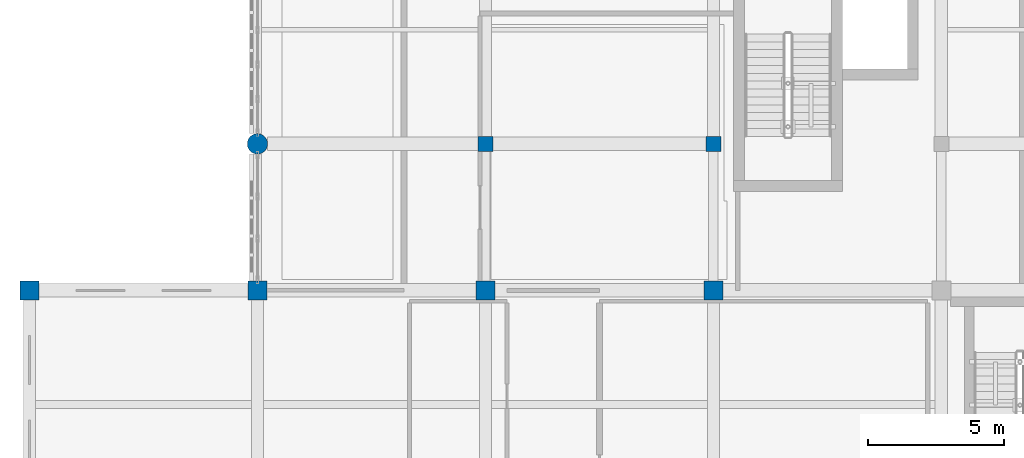
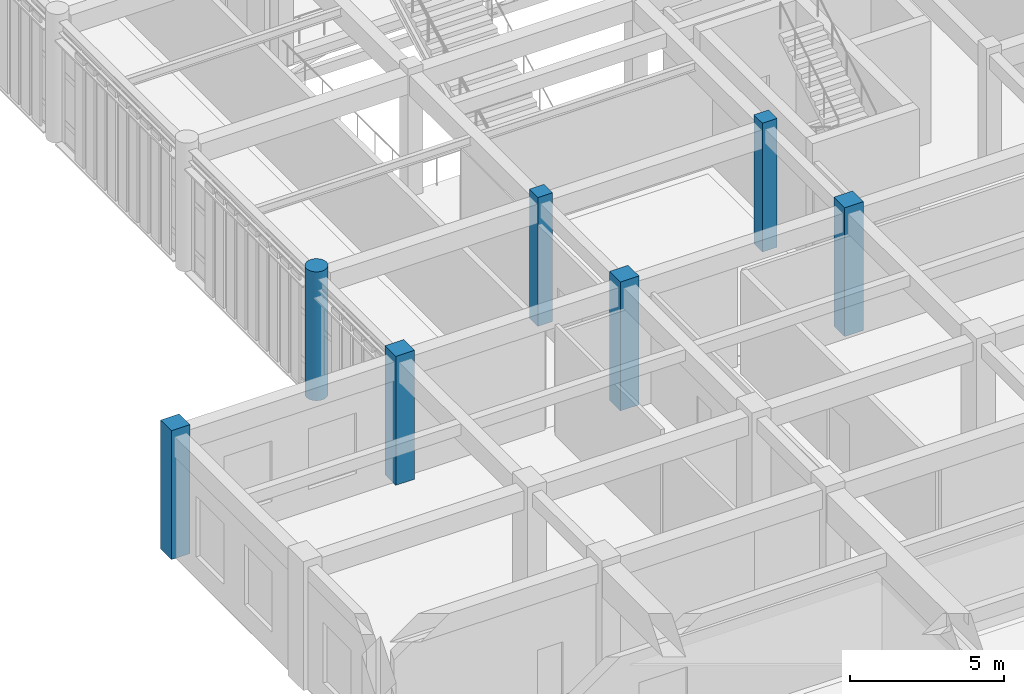
# One storey, part 4 of 106: 7 columns.
"""IFC4 building model written with IfcOpenShell, lengths in metres."""

import ifcopenshell
import ifcopenshell.guid

model = None  # the IFC model being written
_history = None  # IfcOwnerHistory: only IFC2X3 demands one
_inside = {}  # id of a spatial element -> (the spatial element, [elements in it])
_under = {}  # id of a project, library or spatial element -> (it, [spatial elements below it])
_declared = {}  # id of a project -> (the project, [libraries it declares])
_typed = {}  # id of a type object -> (the type object, [elements of that type])
_made_of = {}  # id of a material, layer set ... -> (it, [elements and type objects made of it])


def new_model(schema):
    """Start an empty IFC model of exactly this schema.

    Asked for "IFC4X3", IfcOpenShell would pick the latest addendum, in which some entities
    have other attributes; the version numbers below select the first issue.
    IFC2X3 requires an IfcOwnerHistory on every rooted entity: one is made here for all.
    """
    global model, _history
    if schema == "IFC4X3":
        model = ifcopenshell.file(schema_version=(4, 3, 0, 0))
    else:
        model = ifcopenshell.file(schema=schema)
    _inside.clear()
    _under.clear()
    _declared.clear()
    _typed.clear()
    _made_of.clear()
    _history = None
    if model.schema == "IFC2X3":
        org = make("IfcOrganization", Name="unknown")
        user = make(
            "IfcPersonAndOrganization",
            ThePerson=make("IfcPerson", FamilyName="unknown"),
            TheOrganization=org,
        )
        app = make(
            "IfcApplication",
            ApplicationDeveloper=org,
            Version="unknown",
            ApplicationFullName="unknown",
            ApplicationIdentifier="unknown",
        )
        _history = make(
            "IfcOwnerHistory",
            OwningUser=user,
            OwningApplication=app,
            ChangeAction="ADDED",
            CreationDate=0,
        )
    return model


def make(cls, **values):
    """One entity of the class cls with the attributes given. An attribute that is None is left unset."""
    return model.create_entity(
        cls, **{name: value for name, value in values.items() if value is not None}
    )


def rooted(cls, **values):
    """An entity with a GlobalId (a new one), such as an element, a storey or a relation."""
    return make(cls, GlobalId=ifcopenshell.guid.new(), OwnerHistory=_history, **values)


def si_unit(unit_type, name, prefix=None):
    """IfcSIUnit, for example si_unit("LENGTHUNIT", "METRE", prefix="MILLI")."""
    return make("IfcSIUnit", UnitType=unit_type, Prefix=prefix, Name=name)


def assignment(units):
    """IfcUnitAssignment: the units of a project."""
    return None if units is None else make("IfcUnitAssignment", Units=units)


def point(xyz):
    """IfcCartesianPoint."""
    return None if xyz is None else make("IfcCartesianPoint", Coordinates=xyz)


def direction(xyz):
    """IfcDirection."""
    return None if xyz is None else make("IfcDirection", DirectionRatios=xyz)


def frame(location, z_axis=None, x_axis=None):
    """IfcAxis2Placement3D, a coordinate frame: its origin and axes. An axis left out is left unset."""
    return make(
        "IfcAxis2Placement3D",
        Location=point(location),
        Axis=direction(z_axis),
        RefDirection=direction(x_axis),
    )


def frame_2d(location, x_axis=None):
    """IfcAxis2Placement2D, a coordinate frame in the plane: its origin and x axis."""
    return make(
        "IfcAxis2Placement2D", Location=point(location), RefDirection=direction(x_axis)
    )


def origin():
    """The frame at (0, 0, 0) with its axes left unset."""
    return frame((0.0, 0.0, 0.0))


def origin_2d():
    """The frame at (0, 0) in the plane with its x axis left unset."""
    return frame_2d((0.0, 0.0))


def place(relative_to, where):
    """IfcLocalPlacement: puts the frame where relative to a parent placement (None: the world)."""
    return make(
        "IfcLocalPlacement", PlacementRelTo=relative_to, RelativePlacement=where
    )


def context(
    kind, dimensions, precision=None, world=None, true_north=None, identifier=None
):
    """IfcGeometricRepresentationContext, for example the 3D "Model" context."""
    return make(
        "IfcGeometricRepresentationContext",
        ContextIdentifier=identifier,
        ContextType=kind,
        CoordinateSpaceDimension=dimensions,
        Precision=precision,
        WorldCoordinateSystem=world,
        TrueNorth=true_north,
    )


def subcontext(parent, identifier, kind, view, scale=None):
    """IfcGeometricRepresentationSubContext, for example "Body" below "Model"."""
    return make(
        "IfcGeometricRepresentationSubContext",
        ContextIdentifier=identifier,
        ContextType=kind,
        ParentContext=parent,
        TargetScale=scale,
        TargetView=view,
    )


def project(units=None, contexts=None):
    """IfcProject with its units and contexts."""
    return rooted(
        "IfcProject",
        Name="project",
        RepresentationContexts=contexts,
        UnitsInContext=assignment(units),
    )


def spatial(cls, under=None, at=None, **own):
    """A site, building, storey or space (cls), placed at a placement, below another one or the project."""
    s = rooted(cls, ObjectPlacement=at, **own)
    if under is not None:
        _under.setdefault(under.id(), (under, []))[1].append(s)
    return s


def profile(cls, at=None, kind="AREA", **sizes):
    """A parametric profile (cls). Its sizes go by their IFC names, for example OverallWidth=200.0."""
    return make(cls, ProfileType=kind, Position=at, **sizes)


def rectangle(**sizes):
    """IfcRectangleProfileDef."""
    return profile("IfcRectangleProfileDef", **sizes)


def circle(**sizes):
    """IfcCircleProfileDef."""
    return profile("IfcCircleProfileDef", **sizes)


def extrude(swept, where, along, depth):
    """IfcExtrudedAreaSolid: the profile swept, set in the frame where, extruded along a direction by depth."""
    return make(
        "IfcExtrudedAreaSolid",
        SweptArea=swept,
        Position=where,
        ExtrudedDirection=direction(along),
        Depth=depth,
    )


def shape(context_of_items, identifier, shape_type, items):
    """IfcShapeRepresentation: the items that make up one representation, for example the "Body"."""
    return make(
        "IfcShapeRepresentation",
        ContextOfItems=context_of_items,
        RepresentationIdentifier=identifier,
        RepresentationType=shape_type,
        Items=items,
    )


def material(Name=None, Category=None):
    """IfcMaterial."""
    return make("IfcMaterial", Name=Name, Category=Category)


def material_profile(
    of_material, cross_section, Name=None, Category=None, Priority=None
):
    """IfcMaterialProfile: a cross section and its material."""
    return make(
        "IfcMaterialProfile",
        Name=Name,
        Material=of_material,
        Profile=cross_section,
        Priority=Priority,
        Category=Category,
    )


def profile_set(profiles, Name=None, composite=None):
    """IfcMaterialProfileSet."""
    return make(
        "IfcMaterialProfileSet",
        Name=Name,
        MaterialProfiles=profiles,
        CompositeProfile=composite,
    )


def made_of(thing, what):
    """Note that an element or type object is made of a material, layer set ...; save() writes the relation."""
    if what is not None:
        _made_of.setdefault(what.id(), (what, []))[1].append(thing)
    return thing


def type_object(cls, material=None, **own):
    """A type object (cls), such as IfcWallType, which elements share."""
    return made_of(rooted(cls, **own), material)


def element(
    cls,
    number,
    at=None,
    inside=None,
    cuts=None,
    type_object=None,
    material=None,
    context=None,
    identifier="Body",
    shape_type=None,
    held_by="IfcProductDefinitionShape",
    body=None,
    shapes=None,
    **own,
):
    """One element of the class cls, such as IfcWall. Its Tag is "e" and its number.

    at: its placement. inside: the storey or other place that contains it. cuts: it is an
    opening in that element (IfcRelVoidsElement). A single representation is given by context,
    identifier, shape_type and body (its items); several are given by shapes. held_by: the class
    of the entity that holds the representations. save() writes the other relations.
    """
    e = rooted(cls, Tag="e%d" % number, ObjectPlacement=at, **own)
    if body is not None:
        shapes = [shape(context, identifier, shape_type, body)]
    if shapes is not None:
        e.Representation = make(held_by, Representations=shapes)
    if inside is not None:
        _inside.setdefault(inside.id(), (inside, []))[1].append(e)
    if cuts is not None:
        rooted(
            "IfcRelVoidsElement", RelatingBuildingElement=cuts, RelatedOpeningElement=e
        )
    if type_object is not None:
        _typed.setdefault(type_object.id(), (type_object, []))[1].append(e)
    return made_of(e, material)


def aggregate(whole, parts):
    """IfcRelAggregates: a whole, such as a stair, and the parts it consists of."""
    return rooted("IfcRelAggregates", RelatingObject=whole, RelatedObjects=parts)


def save(model, path):
    """Write the relations noted so far, then the file.

    IfcRelAggregates (storeys below a building ...), IfcRelContainedInSpatialStructure (elements
    in a storey), IfcRelDefinesByType, IfcRelAssociatesMaterial and IfcRelDeclares: one each for
    every whole, place, type object, material and project.
    """
    for whole, parts in _under.values():
        aggregate(whole, parts)
    for where, things in _inside.values():
        rooted(
            "IfcRelContainedInSpatialStructure",
            RelatedElements=things,
            RelatingStructure=where,
        )
    for kind, things in _typed.values():
        rooted("IfcRelDefinesByType", RelatedObjects=things, RelatingType=kind)
    for what, things in _made_of.values():
        rooted("IfcRelAssociatesMaterial", RelatedObjects=things, RelatingMaterial=what)
    for by, libraries in _declared.values():
        rooted("IfcRelDeclares", RelatingContext=by, RelatedDefinitions=libraries)
    model.write(path)


model = new_model("IFC4")

# Units and contexts
model_context = context("Model", 3, precision=1e-05, world=origin(), true_north=direction((0.0, 1.0)))
body_context = subcontext(model_context, "Body", "Model", "MODEL_VIEW")
ifc_project = project(units=[si_unit("LENGTHUNIT", "METRE"), si_unit("AREAUNIT", "SQUARE_METRE"), si_unit("VOLUMEUNIT", "CUBIC_METRE"), si_unit("PLANEANGLEUNIT", "RADIAN"), si_unit("MASSUNIT", "GRAM", prefix="KILO")], contexts=[model_context])

# Site, building, storey
site_placement = place(None, origin())
site = spatial("IfcSite", under=ifc_project, at=site_placement, CompositionType="ELEMENT")
building_placement = place(site_placement, origin())
building = spatial("IfcBuilding", under=site, at=building_placement, Name="Krzemoval Escarpment Law Courts", CompositionType="ELEMENT")
storey_placement = place(building_placement, frame((0.0, 0.0, 5.10009765625)))
storey = spatial("IfcBuildingStorey", under=building, at=storey_placement, Name="L01", CompositionType="ELEMENT", Elevation=5.10009765625)

# Columns
ifc_material_1 = material(Name="Concrete C40/50", Category="concrete")
ifc_material_profile_1 = material_profile(ifc_material_1, rectangle(XDim=0.550048828125, YDim=0.550048828125, at=origin_2d()), Name="RC 550x550")
ifc_profile_set_1 = profile_set([ifc_material_profile_1], Name="Concrete C40/50")
column_type_1 = type_object("IfcColumnType", Name="COL-RC-550", PredefinedType="COLUMN", material=ifc_profile_set_1)
for number, where, z_axis, x_axis, name in (
    (1, (16.800048828125, 40.800048828125, 0.0), (0.0, 0.0, 1.0), (1.0, 0.0, 0.0), "Column FC-L01-0574"),
    (2, (25.199951171875, 40.800048828125, 0.0), (0.0, 0.0, 1.0), (1.0, 0.0, 0.0), "Column FC-L01-0591"),
):
    element("IfcColumn", number, at=place(storey_placement, frame(where, z_axis=z_axis, x_axis=x_axis)), inside=storey, type_object=column_type_1, Name=name, PredefinedType="COLUMN", context=body_context, shape_type="SweptSolid", body=[
        extrude(rectangle(XDim=0.550048828125, YDim=0.550048828125, at=origin_2d()), origin(), (0.0, 0.0, 1.0), 5.099853515625),
    ])
ifc_material_2 = material(Name="Concrete C40/50", Category="concrete")
ifc_material_profile_2 = material_profile(ifc_material_2, rectangle(XDim=0.699951171875, YDim=0.699951171875, at=origin_2d()), Name="RC 700x700")
ifc_profile_set_2 = profile_set([ifc_material_profile_2], Name="Concrete C40/50")
column_type_2 = type_object("IfcColumnType", Name="COL-RC-700", PredefinedType="COLUMN", material=ifc_profile_set_2)
for number, where, z_axis, x_axis, name in (
    (3, (0.0, 35.39990234375, 0.0), (0.0, 0.0, 1.0), (1.0, 0.0, 0.0), "Column FC-L01-0547"),
    (4, (8.39990234375, 35.39990234375, 0.0), (0.0, 0.0, 1.0), (1.0, 0.0, 0.0), "Column FC-L01-0556"),
    (5, (16.800048828125, 35.39990234375, 0.0), (0.0, 0.0, 1.0), (1.0, 0.0, 0.0), "Column FC-L01-0573"),
    (6, (25.199951171875, 35.39990234375, 0.0), (0.0, 0.0, 1.0), (1.0, 0.0, 0.0), "Column FC-L01-0590"),
):
    element("IfcColumn", number, at=place(storey_placement, frame(where, z_axis=z_axis, x_axis=x_axis)), inside=storey, type_object=column_type_2, Name=name, PredefinedType="COLUMN", context=body_context, shape_type="SweptSolid", body=[
        extrude(rectangle(XDim=0.699951171875, YDim=0.699951171875, at=origin_2d()), origin(), (0.0, 0.0, 1.0), 5.099853515625),
    ])
ifc_material_3 = material(Name="Concrete C40/50", Category="concrete")
ifc_material_profile_3 = material_profile(ifc_material_3, circle(Radius=0.375, at=origin_2d()), Name="RC D750")
ifc_profile_set_3 = profile_set([ifc_material_profile_3], Name="Concrete C40/50")
column_type_3 = type_object("IfcColumnType", Name="COL-RCD-750", PredefinedType="COLUMN", material=ifc_profile_set_3)
column_placement = place(storey_placement, frame((8.39990234375, 40.800048828125, 0.0), z_axis=(0.0, 0.0, 1.0), x_axis=(1.0, 0.0, 0.0)))
element("IfcColumn", 7, at=column_placement, inside=storey, type_object=column_type_3, Name="Column FC-L01-0557", PredefinedType="COLUMN", context=body_context, shape_type="SweptSolid", body=[
    extrude(circle(Radius=0.375, at=origin_2d()), origin(), (0.0, 0.0, 1.0), 5.099853515625),
])

save(model, "model.ifc")
